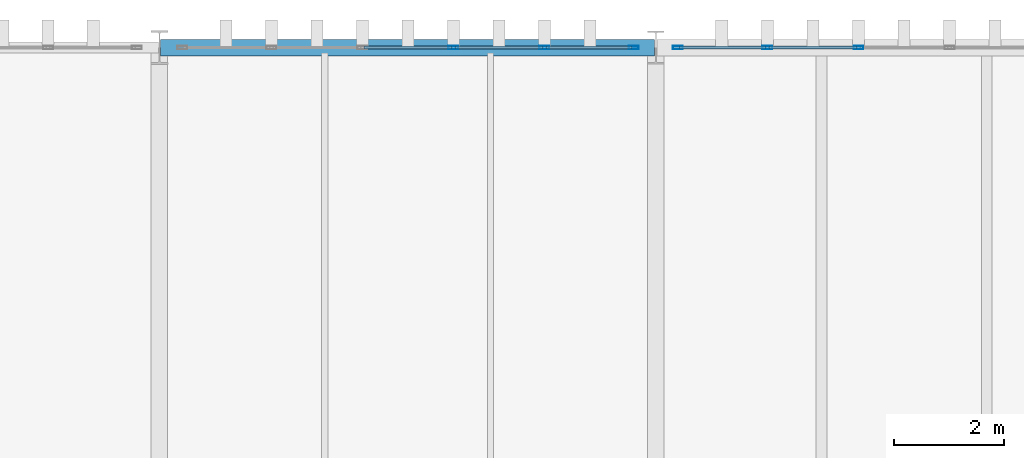
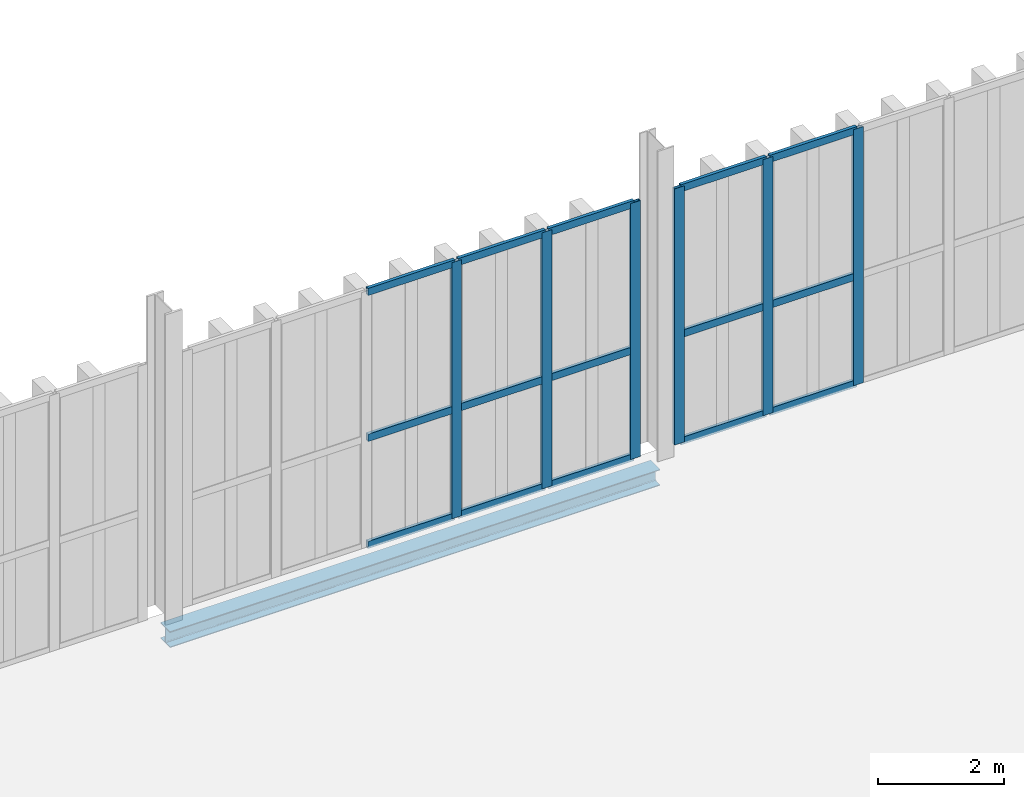
# One storey, part 146 of 211: 21 members, 1 beam, 2 elements without a shape of their own.
"""IFC4 building model written with IfcOpenShell, lengths in metres."""

from ifc_helpers import new_model, si_unit, direction, frame, origin, origin_2d, place, context, subcontext, project, spatial, hollow_rectangle, i_section, extrude, material, layer, layer_set, material_profile, profile_set, type_object, element, aggregate, save


model = new_model("IFC4")

# Units and contexts
model_context = context("Model", 3, precision=1e-05, world=origin(), true_north=direction((0.0, 1.0)))
body_context = subcontext(model_context, "Body", "Model", "MODEL_VIEW")
ifc_project = project(units=[si_unit("LENGTHUNIT", "METRE"), si_unit("AREAUNIT", "SQUARE_METRE"), si_unit("VOLUMEUNIT", "CUBIC_METRE"), si_unit("PLANEANGLEUNIT", "RADIAN"), si_unit("MASSUNIT", "GRAM", prefix="KILO")], contexts=[model_context])

# Site, building, storey
site_placement = place(None, origin())
site = spatial("IfcSite", under=ifc_project, at=site_placement, CompositionType="ELEMENT")
building_placement = place(site_placement, origin())
building = spatial("IfcBuilding", under=site, at=building_placement, Name="Barlavento Convention Centre", CompositionType="ELEMENT")
storey_placement = place(building_placement, frame((0.0, 0.0, 6.0)))
storey = spatial("IfcBuildingStorey", under=building, at=storey_placement, Name="L01", CompositionType="ELEMENT", Elevation=6.0)

# Curtain wall, members
ifc_material_1 = material(Name="Powder-coated aluminium and Low-E glass", Category="aluminium")
ifc_layer = layer(ifc_material_1, 0.179931640625)
ifc_layer_set = layer_set([ifc_layer], Name="ARC-CW-EXH-L01")
curtain_wall_type = type_object("IfcCurtainWallType", Name="ARC-CW-EXH-L01", PredefinedType="NOTDEFINED", material=ifc_layer_set)
curtain_wall_1_placement = place(storey_placement, origin())
curtain_wall_1 = element("IfcCurtainWall", 1, at=curtain_wall_1_placement, inside=storey, type_object=curtain_wall_type, Name="L01 unitised curtain wall CW04", PredefinedType="NOTDEFINED")
ifc_material_2 = material(Name="Powder-coated aluminium", Category="aluminium")
ifc_material_profile_1 = material_profile(ifc_material_2, hollow_rectangle(XDim=0.06005859375, YDim=0.179931640625, WallThickness=0.0048828125, at=origin_2d()), Name="AL-MULL 60x180x5")
ifc_profile_set_1 = profile_set([ifc_material_profile_1], Name="Powder-coated aluminium")
member_type_1 = type_object("IfcMemberType", Name="ARC-CWM-60X180", PredefinedType="MULLION", material=ifc_profile_set_1)
member_1_placement = place(storey_placement, frame((95.330078125, 135.0, 0.0), z_axis=(0.0, 0.0, 1.0), x_axis=(0.0, 1.0, 0.0)))
member_1 = element("IfcMember", 2, at=member_1_placement, type_object=member_type_1, Name="CW04 mullion 4", PredefinedType="MULLION", context=body_context, shape_type="SweptSolid", body=[
    extrude(hollow_rectangle(XDim=0.06005859375, YDim=0.179931640625, WallThickness=0.0048828125, at=origin_2d()), origin(), (0.0, 0.0, 1.0), 4.949951171875),
])
member_2_placement = place(storey_placement, frame((96.97998046875, 135.0, 0.0), z_axis=(0.0, 0.0, 1.0), x_axis=(0.0, 1.0, 0.0)))
member_2 = element("IfcMember", 3, at=member_2_placement, type_object=member_type_1, Name="CW04 mullion 5", PredefinedType="MULLION", context=body_context, shape_type="SweptSolid", body=[
    extrude(hollow_rectangle(XDim=0.06005859375, YDim=0.179931640625, WallThickness=0.0048828125, at=origin_2d()), origin(), (0.0, 0.0, 1.0), 4.949951171875),
])
member_3_placement = place(storey_placement, frame((98.60009765625, 135.0, 0.0), z_axis=(0.0, 0.0, 1.0), x_axis=(0.0, 1.0, 0.0)))
member_3 = element("IfcMember", 4, at=member_3_placement, type_object=member_type_1, Name="CW04 mullion 6", PredefinedType="MULLION", context=body_context, shape_type="SweptSolid", body=[
    extrude(hollow_rectangle(XDim=0.06005859375, YDim=0.179931640625, WallThickness=0.0048828125, at=origin_2d()), origin(), (0.0, 0.0, 1.0), 4.949951171875),
])

curtain_wall_2_placement = place(storey_placement, origin())
curtain_wall_2 = element("IfcCurtainWall", 5, at=curtain_wall_2_placement, inside=storey, type_object=curtain_wall_type, Name="L01 unitised curtain wall CW04", PredefinedType="NOTDEFINED")
member_4_placement = place(storey_placement, frame((99.39990234375, 135.0, 0.0), z_axis=(0.0, 0.0, 1.0), x_axis=(0.0, 1.0, 0.0)))
member_4 = element("IfcMember", 6, at=member_4_placement, type_object=member_type_1, Name="CW04 mullion 1", PredefinedType="MULLION", context=body_context, shape_type="SweptSolid", body=[
    extrude(hollow_rectangle(XDim=0.06005859375, YDim=0.179931640625, WallThickness=0.0048828125, at=origin_2d()), origin(), (0.0, 0.0, 1.0), 4.949951171875),
])
member_5_placement = place(storey_placement, frame((101.02197265625, 135.0, 0.0), z_axis=(0.0, 0.0, 1.0), x_axis=(0.0, 1.0, 0.0)))
member_5 = element("IfcMember", 7, at=member_5_placement, type_object=member_type_1, Name="CW04 mullion 2", PredefinedType="MULLION", context=body_context, shape_type="SweptSolid", body=[
    extrude(hollow_rectangle(XDim=0.06005859375, YDim=0.179931640625, WallThickness=0.0048828125, at=origin_2d()), origin(), (0.0, 0.0, 1.0), 4.949951171875),
])
member_6_placement = place(storey_placement, frame((102.674072265625, 135.0, 0.0), z_axis=(0.0, 0.0, 1.0), x_axis=(0.0, 1.0, 0.0)))
member_6 = element("IfcMember", 8, at=member_6_placement, type_object=member_type_1, Name="CW04 mullion 3", PredefinedType="MULLION", context=body_context, shape_type="SweptSolid", body=[
    extrude(hollow_rectangle(XDim=0.06005859375, YDim=0.179931640625, WallThickness=0.0048828125, at=origin_2d()), origin(), (0.0, 0.0, 1.0), 4.949951171875),
])

# Member
ifc_material_profile_2 = material_profile(ifc_material_2, hollow_rectangle(XDim=0.06005859375, YDim=0.139892578125, WallThickness=0.00390625, at=origin_2d()), Name="AL-TRAN 60x140x4")
ifc_profile_set_2 = profile_set([ifc_material_profile_2], Name="Powder-coated aluminium")
member_type_2 = type_object("IfcMemberType", Name="ARC-CWT-60X140", PredefinedType="USERDEFINED", material=ifc_profile_set_2)
member_7_placement = place(storey_placement, frame((93.7099609375, 135.0, 0.030029296875), z_axis=(1.0, 0.0, 0.0), x_axis=(0.0, 1.0, 0.0)))
member_7 = element("IfcMember", 9, at=member_7_placement, type_object=member_type_2, Name="CW04 transom 3.1", ObjectType="TRANSOM", PredefinedType="USERDEFINED", context=body_context, shape_type="SweptSolid", body=[
    extrude(hollow_rectangle(XDim=0.06005859375, YDim=0.139892578125, WallThickness=0.00390625, at=origin_2d()), origin(), (0.0, 0.0, 1.0), 1.590087890625),
])

member_8_placement = place(storey_placement, frame((93.7099609375, 135.0, 2.10009765625), z_axis=(1.0, 0.0, 0.0), x_axis=(0.0, 1.0, 0.0)))
member_8 = element("IfcMember", 10, at=member_8_placement, type_object=member_type_2, Name="CW04 transom 3.2", ObjectType="TRANSOM", PredefinedType="USERDEFINED", context=body_context, shape_type="SweptSolid", body=[
    extrude(hollow_rectangle(XDim=0.06005859375, YDim=0.139892578125, WallThickness=0.00390625, at=origin_2d()), origin(), (0.0, 0.0, 1.0), 1.590087890625),
])

member_9_placement = place(storey_placement, frame((93.7099609375, 135.0, 4.919921875), z_axis=(1.0, 0.0, 0.0), x_axis=(0.0, 1.0, 0.0)))
member_9 = element("IfcMember", 11, at=member_9_placement, type_object=member_type_2, Name="CW04 transom 3.3", ObjectType="TRANSOM", PredefinedType="USERDEFINED", context=body_context, shape_type="SweptSolid", body=[
    extrude(hollow_rectangle(XDim=0.06005859375, YDim=0.139892578125, WallThickness=0.00390625, at=origin_2d()), origin(), (0.0, 0.0, 1.0), 1.590087890625),
])

member_10_placement = place(storey_placement, frame((95.360107421875, 135.0, 0.030029296875), z_axis=(1.0, 0.0, 0.0), x_axis=(0.0, 1.0, 0.0)))
member_10 = element("IfcMember", 12, at=member_10_placement, type_object=member_type_2, Name="CW04 transom 4.1", ObjectType="TRANSOM", PredefinedType="USERDEFINED", context=body_context, shape_type="SweptSolid", body=[
    extrude(hollow_rectangle(XDim=0.06005859375, YDim=0.139892578125, WallThickness=0.00390625, at=origin_2d()), origin(), (0.0, 0.0, 1.0), 1.58984375),
])

member_11_placement = place(storey_placement, frame((95.360107421875, 135.0, 2.10009765625), z_axis=(1.0, 0.0, 0.0), x_axis=(0.0, 1.0, 0.0)))
member_11 = element("IfcMember", 13, at=member_11_placement, type_object=member_type_2, Name="CW04 transom 4.2", ObjectType="TRANSOM", PredefinedType="USERDEFINED", context=body_context, shape_type="SweptSolid", body=[
    extrude(hollow_rectangle(XDim=0.06005859375, YDim=0.139892578125, WallThickness=0.00390625, at=origin_2d()), origin(), (0.0, 0.0, 1.0), 1.58984375),
])

member_12_placement = place(storey_placement, frame((95.360107421875, 135.0, 4.919921875), z_axis=(1.0, 0.0, 0.0), x_axis=(0.0, 1.0, 0.0)))
member_12 = element("IfcMember", 14, at=member_12_placement, type_object=member_type_2, Name="CW04 transom 4.3", ObjectType="TRANSOM", PredefinedType="USERDEFINED", context=body_context, shape_type="SweptSolid", body=[
    extrude(hollow_rectangle(XDim=0.06005859375, YDim=0.139892578125, WallThickness=0.00390625, at=origin_2d()), origin(), (0.0, 0.0, 1.0), 1.58984375),
])

member_13_placement = place(storey_placement, frame((97.010009765625, 135.0, 0.030029296875), z_axis=(1.0, 0.0, 0.0), x_axis=(0.0, 1.0, 0.0)))
member_13 = element("IfcMember", 15, at=member_13_placement, type_object=member_type_2, Name="CW04 transom 5.1", ObjectType="TRANSOM", PredefinedType="USERDEFINED", context=body_context, shape_type="SweptSolid", body=[
    extrude(hollow_rectangle(XDim=0.06005859375, YDim=0.139892578125, WallThickness=0.00390625, at=origin_2d()), origin(), (0.0, 0.0, 1.0), 1.56005859375),
])

member_14_placement = place(storey_placement, frame((97.010009765625, 135.0, 2.10009765625), z_axis=(1.0, 0.0, 0.0), x_axis=(0.0, 1.0, 0.0)))
member_14 = element("IfcMember", 16, at=member_14_placement, type_object=member_type_2, Name="CW04 transom 5.2", ObjectType="TRANSOM", PredefinedType="USERDEFINED", context=body_context, shape_type="SweptSolid", body=[
    extrude(hollow_rectangle(XDim=0.06005859375, YDim=0.139892578125, WallThickness=0.00390625, at=origin_2d()), origin(), (0.0, 0.0, 1.0), 1.56005859375),
])

member_15_placement = place(storey_placement, frame((97.010009765625, 135.0, 4.919921875), z_axis=(1.0, 0.0, 0.0), x_axis=(0.0, 1.0, 0.0)))
member_15 = element("IfcMember", 17, at=member_15_placement, type_object=member_type_2, Name="CW04 transom 5.3", ObjectType="TRANSOM", PredefinedType="USERDEFINED", context=body_context, shape_type="SweptSolid", body=[
    extrude(hollow_rectangle(XDim=0.06005859375, YDim=0.139892578125, WallThickness=0.00390625, at=origin_2d()), origin(), (0.0, 0.0, 1.0), 1.56005859375),
])

aggregate(curtain_wall_1, [member_1, member_2, member_3, member_7, member_8, member_9, member_10, member_11, member_12, member_13, member_14, member_15])

member_16_placement = place(storey_placement, frame((99.429931640625, 135.0, 0.030029296875), z_axis=(1.0, 0.0, 0.0), x_axis=(0.0, 1.0, 0.0)))
member_16 = element("IfcMember", 18, at=member_16_placement, type_object=member_type_2, Name="CW04 transom 1.1", ObjectType="TRANSOM", PredefinedType="USERDEFINED", context=body_context, shape_type="SweptSolid", body=[
    extrude(hollow_rectangle(XDim=0.06005859375, YDim=0.139892578125, WallThickness=0.00390625, at=origin_2d()), origin(), (0.0, 0.0, 1.0), 1.56201171875),
])

member_17_placement = place(storey_placement, frame((99.429931640625, 135.0, 2.10009765625), z_axis=(1.0, 0.0, 0.0), x_axis=(0.0, 1.0, 0.0)))
member_17 = element("IfcMember", 19, at=member_17_placement, type_object=member_type_2, Name="CW04 transom 1.2", ObjectType="TRANSOM", PredefinedType="USERDEFINED", context=body_context, shape_type="SweptSolid", body=[
    extrude(hollow_rectangle(XDim=0.06005859375, YDim=0.139892578125, WallThickness=0.00390625, at=origin_2d()), origin(), (0.0, 0.0, 1.0), 1.56201171875),
])

member_18_placement = place(storey_placement, frame((99.429931640625, 135.0, 4.919921875), z_axis=(1.0, 0.0, 0.0), x_axis=(0.0, 1.0, 0.0)))
member_18 = element("IfcMember", 20, at=member_18_placement, type_object=member_type_2, Name="CW04 transom 1.3", ObjectType="TRANSOM", PredefinedType="USERDEFINED", context=body_context, shape_type="SweptSolid", body=[
    extrude(hollow_rectangle(XDim=0.06005859375, YDim=0.139892578125, WallThickness=0.00390625, at=origin_2d()), origin(), (0.0, 0.0, 1.0), 1.56201171875),
])

member_19_placement = place(storey_placement, frame((101.052001953125, 135.0, 0.030029296875), z_axis=(1.0, 0.0, 0.0), x_axis=(0.0, 1.0, 0.0)))
member_19 = element("IfcMember", 21, at=member_19_placement, type_object=member_type_2, Name="CW04 transom 2.1", ObjectType="TRANSOM", PredefinedType="USERDEFINED", context=body_context, shape_type="SweptSolid", body=[
    extrude(hollow_rectangle(XDim=0.06005859375, YDim=0.139892578125, WallThickness=0.00390625, at=origin_2d()), origin(), (0.0, 0.0, 1.0), 1.592041015625),
])

member_20_placement = place(storey_placement, frame((101.052001953125, 135.0, 2.10009765625), z_axis=(1.0, 0.0, 0.0), x_axis=(0.0, 1.0, 0.0)))
member_20 = element("IfcMember", 22, at=member_20_placement, type_object=member_type_2, Name="CW04 transom 2.2", ObjectType="TRANSOM", PredefinedType="USERDEFINED", context=body_context, shape_type="SweptSolid", body=[
    extrude(hollow_rectangle(XDim=0.06005859375, YDim=0.139892578125, WallThickness=0.00390625, at=origin_2d()), origin(), (0.0, 0.0, 1.0), 1.592041015625),
])

member_21_placement = place(storey_placement, frame((101.052001953125, 135.0, 4.919921875), z_axis=(1.0, 0.0, 0.0), x_axis=(0.0, 1.0, 0.0)))
member_21 = element("IfcMember", 23, at=member_21_placement, type_object=member_type_2, Name="CW04 transom 2.3", ObjectType="TRANSOM", PredefinedType="USERDEFINED", context=body_context, shape_type="SweptSolid", body=[
    extrude(hollow_rectangle(XDim=0.06005859375, YDim=0.139892578125, WallThickness=0.00390625, at=origin_2d()), origin(), (0.0, 0.0, 1.0), 1.592041015625),
])

aggregate(curtain_wall_2, [member_4, member_5, member_6, member_16, member_17, member_18, member_19, member_20, member_21])

# Beam
ifc_material_3 = material(Name="Steel S355", Category="steel")
ifc_material_profile_3 = material_profile(ifc_material_3, i_section(OverallWidth=0.300048828125, OverallDepth=0.31005859375, WebThickness=0.009033203125, FlangeThickness=0.015380859375, FilletRadius=0.027099609375, at=origin_2d()), Name="HEA 320")
ifc_profile_set_3 = profile_set([ifc_material_profile_3], Name="Steel S355")
beam_type = type_object("IfcBeamType", Name="STR-BM-SPN-HEA320", PredefinedType="SPANDREL", material=ifc_profile_set_3)
beam_placement = place(storey_placement, frame((90.02001953125, 135.0, -0.43505859375), z_axis=(1.0, 0.0, 0.0), x_axis=(0.0, 1.0, 0.0)))
element("IfcBeam", 24, at=beam_placement, inside=storey, type_object=beam_type, Name="L01 primary girder SP01", PredefinedType="SPANDREL", context=body_context, shape_type="SweptSolid", body=[
    extrude(i_section(OverallWidth=0.300048828125, OverallDepth=0.31005859375, WebThickness=0.009033203125, FlangeThickness=0.015380859375, FilletRadius=0.027099609375, at=origin_2d()), origin(), (0.0, 0.0, 1.0), 8.9599609375),
])

save(model, "model.ifc")
